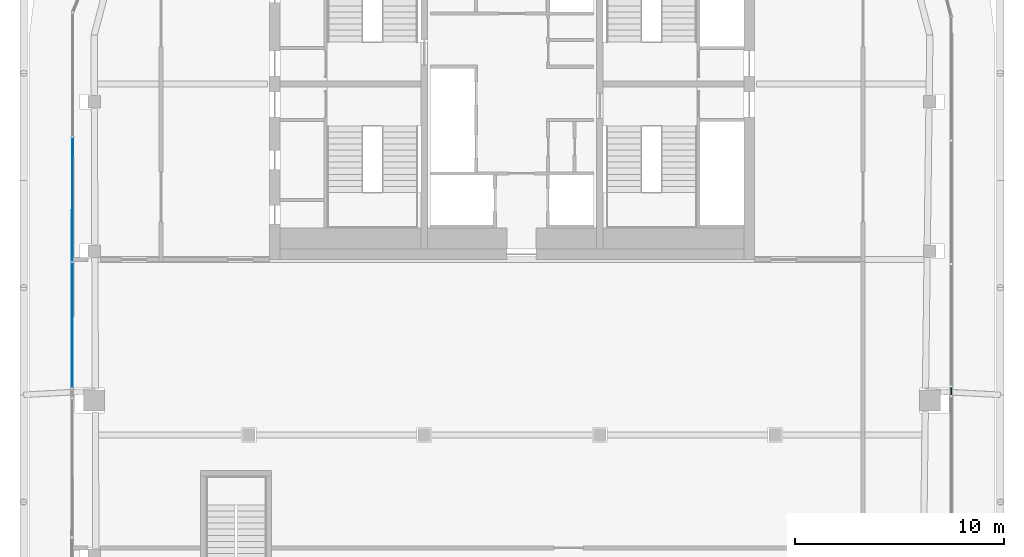
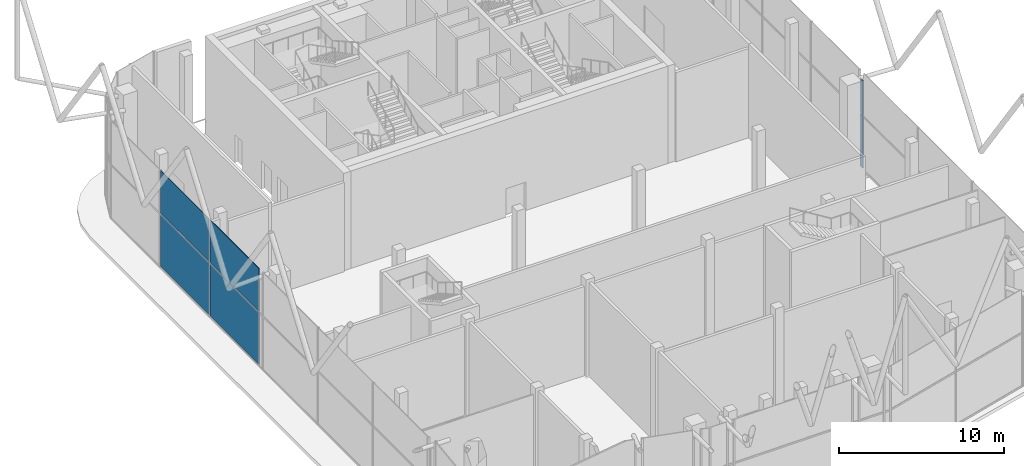
# One storey, part 17 of 25: 6 plates, 2 elements without a shape of their own.
"""IFC4 building model written with IfcOpenShell, lengths in metres."""

from ifc_helpers import new_model, si_unit, direction, frame, origin, origin_2d, place, context, subcontext, project, spatial, rectangle, extrude, material, layer, layer_set, type_object, element, aggregate, save


model = new_model("IFC4")

# Units and contexts
model_context = context("Model", 3, precision=1e-05, world=origin(), true_north=direction((0.0, 1.0)))
body_context = subcontext(model_context, "Body", "Model", "MODEL_VIEW")
ifc_project = project(units=[si_unit("LENGTHUNIT", "METRE"), si_unit("AREAUNIT", "SQUARE_METRE"), si_unit("VOLUMEUNIT", "CUBIC_METRE"), si_unit("PLANEANGLEUNIT", "RADIAN"), si_unit("MASSUNIT", "GRAM", prefix="KILO")], contexts=[model_context])

# Site, building, storey
site_placement = place(None, origin())
site = spatial("IfcSite", under=ifc_project, at=site_placement, CompositionType="ELEMENT")
building_placement = place(site_placement, origin())
building = spatial("IfcBuilding", under=site, at=building_placement, Name="Marenta Gate Hotel Tower", CompositionType="ELEMENT")
storey_placement = place(building_placement, frame((0.0, 0.0, 281.300048828125)))
storey = spatial("IfcBuildingStorey", under=building, at=storey_placement, Name="L65", CompositionType="ELEMENT", Elevation=281.300048828125)

# Curtain wall, plates
ifc_material_1 = material(Name="Tinted insulated glass in bronze anodised frame", Category="glass")
ifc_layer_1 = layer(ifc_material_1, 0.139892578125)
ifc_layer_set_1 = layer_set([ifc_layer_1], Name="Tinted insulated glass in bronze anodised frame")
curtain_wall_type = type_object("IfcCurtainWallType", Name="Observation deck structural glazing CW3", PredefinedType="NOTDEFINED", material=ifc_layer_set_1)
curtain_wall_1_placement = place(storey_placement, origin())
curtain_wall_1 = element("IfcCurtainWall", 1, at=curtain_wall_1_placement, inside=storey, type_object=curtain_wall_type, Name="CW3 run G07", PredefinedType="NOTDEFINED")
ifc_material_2 = material(Name="Tinted insulated glass", Category="glass")
ifc_layer_2 = layer(ifc_material_2, 0.0439453125)
ifc_layer_set_2 = layer_set([ifc_layer_2], Name="Tinted insulated glass")
plate_type = type_object("IfcPlateType", Name="Glass panel CW3 44 mm tinted insulated unit", PredefinedType="CURTAIN_PANEL", material=ifc_layer_set_2)
plate_1_placement = place(storey_placement, frame((-21.036376953125, 2.872314453125, 0.099853515625), z_axis=(0.0, 0.0, 1.0), x_axis=(-0.001567387476, -0.999998771647, 0.0)))
plate_1 = element("IfcPlate", 2, at=plate_1_placement, type_object=plate_type, Name="CW3 panel 2.1", PredefinedType="CURTAIN_PANEL", context=body_context, shape_type="SweptSolid", body=[
    extrude(rectangle(XDim=5.897216796875, YDim=0.0439453125, at=origin_2d()), origin(), (0.0, 0.0, 1.0), 3.85009765625),
])
plate_2_placement = place(storey_placement, frame((-21.036376953125, 2.872314453125, 4.050048828125), z_axis=(0.0, 0.0, 1.0), x_axis=(-0.001567387476, -0.999998771647, 0.0)))
plate_2 = element("IfcPlate", 3, at=plate_2_placement, type_object=plate_type, Name="CW3 panel 2.2", PredefinedType="CURTAIN_PANEL", context=body_context, shape_type="SweptSolid", body=[
    extrude(rectangle(XDim=5.897216796875, YDim=0.0439453125, at=origin_2d()), origin(), (0.0, 0.0, 1.0), 3.14990234375),
])
plate_3_placement = place(storey_placement, frame((-21.0458984375, -3.14990234375, 0.099853515625), z_axis=(0.0, 0.0, 1.0), x_axis=(-0.001567387476, -0.999998771647, 0.0)))
plate_3 = element("IfcPlate", 4, at=plate_3_placement, type_object=plate_type, Name="CW3 panel 3.1", PredefinedType="CURTAIN_PANEL", context=body_context, shape_type="SweptSolid", body=[
    extrude(rectangle(XDim=5.947265625, YDim=0.0439453125, at=origin_2d()), origin(), (0.0, 0.0, 1.0), 3.85009765625),
])
plate_4_placement = place(storey_placement, frame((-21.0458984375, -3.14990234375, 4.050048828125), z_axis=(0.0, 0.0, 1.0), x_axis=(-0.001567387476, -0.999998771647, 0.0)))
plate_4 = element("IfcPlate", 5, at=plate_4_placement, type_object=plate_type, Name="CW3 panel 3.2", PredefinedType="CURTAIN_PANEL", context=body_context, shape_type="SweptSolid", body=[
    extrude(rectangle(XDim=5.947265625, YDim=0.0439453125, at=origin_2d()), origin(), (0.0, 0.0, 1.0), 3.14990234375),
])
aggregate(curtain_wall_1, [plate_1, plate_2, plate_3, plate_4])

curtain_wall_2_placement = place(storey_placement, origin())
curtain_wall_2 = element("IfcCurtainWall", 6, at=curtain_wall_2_placement, inside=storey, type_object=curtain_wall_type, Name="CW3 run G34", PredefinedType="NOTDEFINED")
plate_5_placement = place(storey_placement, frame((21.02392578125, -6.30419921875, 0.099853515625), z_axis=(0.0, 0.0, 1.0), x_axis=(0.0, 1.0, 0.0)))
plate_5 = element("IfcPlate", 7, at=plate_5_placement, type_object=plate_type, Name="CW3 panel 1.1", PredefinedType="CURTAIN_PANEL", context=body_context, shape_type="SweptSolid", body=[
    extrude(rectangle(XDim=0.353515625, YDim=0.0439453125, at=origin_2d()), origin(), (0.0, 0.0, 1.0), 3.85009765625),
])
plate_6_placement = place(storey_placement, frame((21.02392578125, -6.30419921875, 4.0498046875), z_axis=(0.0, 0.0, 1.0), x_axis=(0.0, 1.0, 0.0)))
plate_6 = element("IfcPlate", 8, at=plate_6_placement, type_object=plate_type, Name="CW3 panel 1.2", PredefinedType="CURTAIN_PANEL", context=body_context, shape_type="SweptSolid", body=[
    extrude(rectangle(XDim=0.353515625, YDim=0.0439453125, at=origin_2d()), origin(), (0.0, 0.0, 1.0), 2.550537109375),
])
aggregate(curtain_wall_2, [plate_5, plate_6])

save(model, "model.ifc")
